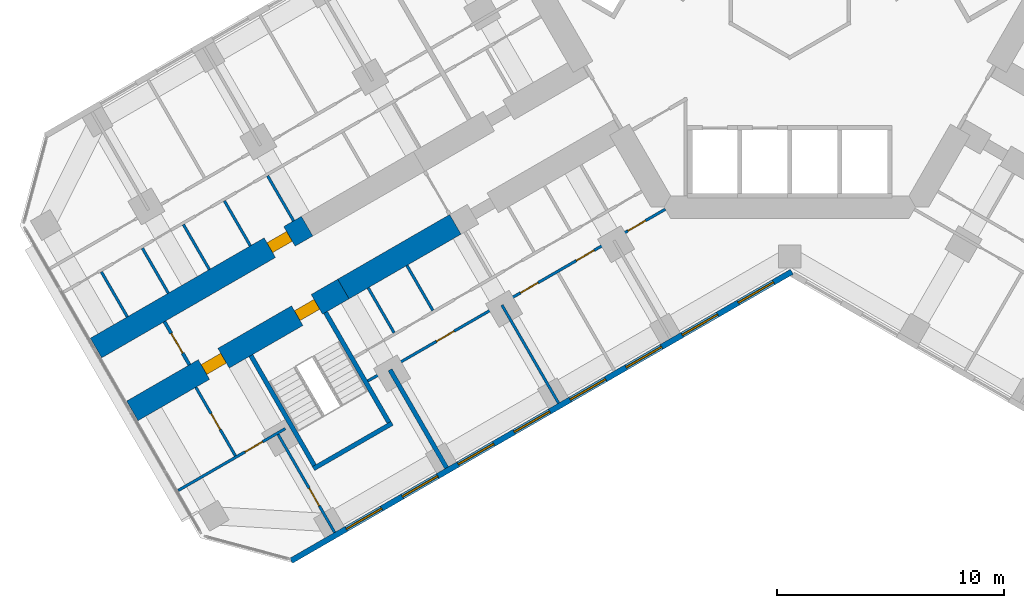
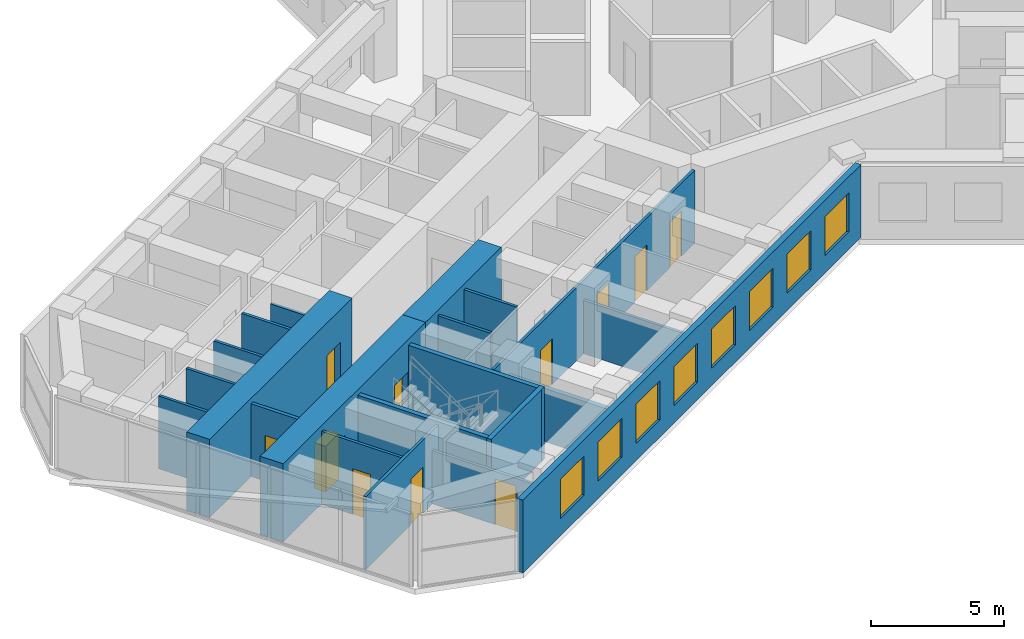
# One storey, part 10 of 21: 21 walls, 11 doors, 8 windows, 19 openings.
"""IFC4 building model written with IfcOpenShell, lengths in metres."""

import ifcopenshell
import ifcopenshell.guid

model = None  # the IFC model being written
_history = None  # IfcOwnerHistory: only IFC2X3 demands one
_inside = {}  # id of a spatial element -> (the spatial element, [elements in it])
_under = {}  # id of a project, library or spatial element -> (it, [spatial elements below it])
_declared = {}  # id of a project -> (the project, [libraries it declares])
_typed = {}  # id of a type object -> (the type object, [elements of that type])
_made_of = {}  # id of a material, layer set ... -> (it, [elements and type objects made of it])


def new_model(schema):
    """Start an empty IFC model of exactly this schema.

    Asked for "IFC4X3", IfcOpenShell would pick the latest addendum, in which some entities
    have other attributes; the version numbers below select the first issue.
    IFC2X3 requires an IfcOwnerHistory on every rooted entity: one is made here for all.
    """
    global model, _history
    if schema == "IFC4X3":
        model = ifcopenshell.file(schema_version=(4, 3, 0, 0))
    else:
        model = ifcopenshell.file(schema=schema)
    _inside.clear()
    _under.clear()
    _declared.clear()
    _typed.clear()
    _made_of.clear()
    _history = None
    if model.schema == "IFC2X3":
        org = make("IfcOrganization", Name="unknown")
        user = make(
            "IfcPersonAndOrganization",
            ThePerson=make("IfcPerson", FamilyName="unknown"),
            TheOrganization=org,
        )
        app = make(
            "IfcApplication",
            ApplicationDeveloper=org,
            Version="unknown",
            ApplicationFullName="unknown",
            ApplicationIdentifier="unknown",
        )
        _history = make(
            "IfcOwnerHistory",
            OwningUser=user,
            OwningApplication=app,
            ChangeAction="ADDED",
            CreationDate=0,
        )
    return model


def make(cls, **values):
    """One entity of the class cls with the attributes given. An attribute that is None is left unset."""
    return model.create_entity(
        cls, **{name: value for name, value in values.items() if value is not None}
    )


def rooted(cls, **values):
    """An entity with a GlobalId (a new one), such as an element, a storey or a relation."""
    return make(cls, GlobalId=ifcopenshell.guid.new(), OwnerHistory=_history, **values)


def si_unit(unit_type, name, prefix=None):
    """IfcSIUnit, for example si_unit("LENGTHUNIT", "METRE", prefix="MILLI")."""
    return make("IfcSIUnit", UnitType=unit_type, Prefix=prefix, Name=name)


def assignment(units):
    """IfcUnitAssignment: the units of a project."""
    return None if units is None else make("IfcUnitAssignment", Units=units)


def point(xyz):
    """IfcCartesianPoint."""
    return None if xyz is None else make("IfcCartesianPoint", Coordinates=xyz)


def direction(xyz):
    """IfcDirection."""
    return None if xyz is None else make("IfcDirection", DirectionRatios=xyz)


def frame(location, z_axis=None, x_axis=None):
    """IfcAxis2Placement3D, a coordinate frame: its origin and axes. An axis left out is left unset."""
    return make(
        "IfcAxis2Placement3D",
        Location=point(location),
        Axis=direction(z_axis),
        RefDirection=direction(x_axis),
    )


def frame_2d(location, x_axis=None):
    """IfcAxis2Placement2D, a coordinate frame in the plane: its origin and x axis."""
    return make(
        "IfcAxis2Placement2D", Location=point(location), RefDirection=direction(x_axis)
    )


def origin():
    """The frame at (0, 0, 0) with its axes left unset."""
    return frame((0.0, 0.0, 0.0))


def place(relative_to, where):
    """IfcLocalPlacement: puts the frame where relative to a parent placement (None: the world)."""
    return make(
        "IfcLocalPlacement", PlacementRelTo=relative_to, RelativePlacement=where
    )


def context(
    kind, dimensions, precision=None, world=None, true_north=None, identifier=None
):
    """IfcGeometricRepresentationContext, for example the 3D "Model" context."""
    return make(
        "IfcGeometricRepresentationContext",
        ContextIdentifier=identifier,
        ContextType=kind,
        CoordinateSpaceDimension=dimensions,
        Precision=precision,
        WorldCoordinateSystem=world,
        TrueNorth=true_north,
    )


def subcontext(parent, identifier, kind, view, scale=None):
    """IfcGeometricRepresentationSubContext, for example "Body" below "Model"."""
    return make(
        "IfcGeometricRepresentationSubContext",
        ContextIdentifier=identifier,
        ContextType=kind,
        ParentContext=parent,
        TargetScale=scale,
        TargetView=view,
    )


def project(units=None, contexts=None):
    """IfcProject with its units and contexts."""
    return rooted(
        "IfcProject",
        Name="project",
        RepresentationContexts=contexts,
        UnitsInContext=assignment(units),
    )


def spatial(cls, under=None, at=None, **own):
    """A site, building, storey or space (cls), placed at a placement, below another one or the project."""
    s = rooted(cls, ObjectPlacement=at, **own)
    if under is not None:
        _under.setdefault(under.id(), (under, []))[1].append(s)
    return s


def profile(cls, at=None, kind="AREA", **sizes):
    """A parametric profile (cls). Its sizes go by their IFC names, for example OverallWidth=200.0."""
    return make(cls, ProfileType=kind, Position=at, **sizes)


def rectangle(**sizes):
    """IfcRectangleProfileDef."""
    return profile("IfcRectangleProfileDef", **sizes)


def extrude(swept, where, along, depth):
    """IfcExtrudedAreaSolid: the profile swept, set in the frame where, extruded along a direction by depth."""
    return make(
        "IfcExtrudedAreaSolid",
        SweptArea=swept,
        Position=where,
        ExtrudedDirection=direction(along),
        Depth=depth,
    )


def shape(context_of_items, identifier, shape_type, items):
    """IfcShapeRepresentation: the items that make up one representation, for example the "Body"."""
    return make(
        "IfcShapeRepresentation",
        ContextOfItems=context_of_items,
        RepresentationIdentifier=identifier,
        RepresentationType=shape_type,
        Items=items,
    )


def material(Name=None, Category=None):
    """IfcMaterial."""
    return make("IfcMaterial", Name=Name, Category=Category)


def layer(
    of_material, thickness, ventilated=None, Name=None, Category=None, Priority=None
):
    """IfcMaterialLayer: one layer of a wall or slab, of a material (None: an air gap)."""
    return make(
        "IfcMaterialLayer",
        Material=of_material,
        LayerThickness=thickness,
        IsVentilated=ventilated,
        Name=Name,
        Category=Category,
        Priority=Priority,
    )


def layer_set(layers, Name=None):
    """IfcMaterialLayerSet."""
    return make("IfcMaterialLayerSet", MaterialLayers=layers, LayerSetName=Name)


def made_of(thing, what):
    """Note that an element or type object is made of a material, layer set ...; save() writes the relation."""
    if what is not None:
        _made_of.setdefault(what.id(), (what, []))[1].append(thing)
    return thing


def type_object(cls, material=None, **own):
    """A type object (cls), such as IfcWallType, which elements share."""
    return made_of(rooted(cls, **own), material)


def element(
    cls,
    number,
    at=None,
    inside=None,
    cuts=None,
    type_object=None,
    material=None,
    context=None,
    identifier="Body",
    shape_type=None,
    held_by="IfcProductDefinitionShape",
    body=None,
    shapes=None,
    **own,
):
    """One element of the class cls, such as IfcWall. Its Tag is "e" and its number.

    at: its placement. inside: the storey or other place that contains it. cuts: it is an
    opening in that element (IfcRelVoidsElement). A single representation is given by context,
    identifier, shape_type and body (its items); several are given by shapes. held_by: the class
    of the entity that holds the representations. save() writes the other relations.
    """
    e = rooted(cls, Tag="e%d" % number, ObjectPlacement=at, **own)
    if body is not None:
        shapes = [shape(context, identifier, shape_type, body)]
    if shapes is not None:
        e.Representation = make(held_by, Representations=shapes)
    if inside is not None:
        _inside.setdefault(inside.id(), (inside, []))[1].append(e)
    if cuts is not None:
        rooted(
            "IfcRelVoidsElement", RelatingBuildingElement=cuts, RelatedOpeningElement=e
        )
    if type_object is not None:
        _typed.setdefault(type_object.id(), (type_object, []))[1].append(e)
    return made_of(e, material)


def fill(opening, filler):
    """IfcRelFillsElement: the door or window that sits in an opening."""
    return rooted(
        "IfcRelFillsElement",
        RelatingOpeningElement=opening,
        RelatedBuildingElement=filler,
    )


def aggregate(whole, parts):
    """IfcRelAggregates: a whole, such as a stair, and the parts it consists of."""
    return rooted("IfcRelAggregates", RelatingObject=whole, RelatedObjects=parts)


def save(model, path):
    """Write the relations noted so far, then the file.

    IfcRelAggregates (storeys below a building ...), IfcRelContainedInSpatialStructure (elements
    in a storey), IfcRelDefinesByType, IfcRelAssociatesMaterial and IfcRelDeclares: one each for
    every whole, place, type object, material and project.
    """
    for whole, parts in _under.values():
        aggregate(whole, parts)
    for where, things in _inside.values():
        rooted(
            "IfcRelContainedInSpatialStructure",
            RelatedElements=things,
            RelatingStructure=where,
        )
    for kind, things in _typed.values():
        rooted("IfcRelDefinesByType", RelatedObjects=things, RelatingType=kind)
    for what, things in _made_of.values():
        rooted("IfcRelAssociatesMaterial", RelatedObjects=things, RelatingMaterial=what)
    for by, libraries in _declared.values():
        rooted("IfcRelDeclares", RelatingContext=by, RelatedDefinitions=libraries)
    model.write(path)


model = new_model("IFC4")

# Units and contexts
model_context = context("Model", 3, precision=1e-05, world=origin(), true_north=direction((0.0, 1.0)))
body_context = subcontext(model_context, "Body", "Model", "MODEL_VIEW")
ifc_project = project(units=[si_unit("LENGTHUNIT", "METRE"), si_unit("AREAUNIT", "SQUARE_METRE"), si_unit("VOLUMEUNIT", "CUBIC_METRE"), si_unit("PLANEANGLEUNIT", "RADIAN"), si_unit("MASSUNIT", "GRAM", prefix="KILO")], contexts=[model_context])

# Site, building, storey
site_placement = place(None, origin())
site = spatial("IfcSite", under=ifc_project, at=site_placement, CompositionType="ELEMENT")
building_placement = place(site_placement, origin())
building = spatial("IfcBuilding", under=site, at=building_placement, Name="Kosmar Iwan School Tower", CompositionType="ELEMENT")
storey_placement = place(building_placement, frame((0.0, 0.0, 53.800048828125)))
storey = spatial("IfcBuildingStorey", under=building, at=storey_placement, Name="L12", CompositionType="ELEMENT", Elevation=53.800048828125)

# Wall
ifc_material_1 = material(Name="Concrete C50/60", Category="concrete")
ifc_layer_1 = layer(ifc_material_1, 1.0)
ifc_layer_set_1 = layer_set([ifc_layer_1], Name="Corridor buttress wall 1000")
wall_type_1 = type_object("IfcWallType", Name="Corridor buttress wall 1000", PredefinedType="SHEAR", material=ifc_layer_set_1)
wall_1_placement = place(storey_placement, frame((-14.7451171875, -10.360595703125, 0.0), z_axis=(0.0, 0.0, 1.0), x_axis=(-0.866015111908, -0.50001782563, 0.0)))
element("IfcWall", 1, at=wall_1_placement, inside=storey, type_object=wall_type_1, Name="Corridor wall BL bay 2", PredefinedType="SHEAR", context=body_context, shape_type="SweptSolid", body=[
    extrude(rectangle(XDim=5.699951171875, YDim=1.0, at=frame_2d((2.85009765625, 0.0))), origin(), (0.0, 0.0, 1.0), 3.599853515625),
])

# Wall, openings, doors
wall_2_placement = place(storey_placement, frame((-19.681396484375, -13.210693359375, 0.0), z_axis=(0.0, 0.0, 1.0), x_axis=(-0.866028186671, -0.499995179869, 0.0)))
wall_2 = element("IfcWall", 2, at=wall_2_placement, inside=storey, type_object=wall_type_1, Name="Corridor wall BL bay 3", PredefinedType="SHEAR", context=body_context, shape_type="SweptSolid", body=[
    extrude(rectangle(XDim=10.7451171875, YDim=1.0, at=frame_2d((5.37255859375, 0.0))), origin(), (0.0, 0.0, 1.0), 3.599853515625),
])
opening_1_placement = place(wall_2_placement, frame((6.10009765625, 0.0, 0.0)))
opening_1 = element("IfcOpeningElement", 3, at=opening_1_placement, cuts=wall_2, Name="Opening D1", PredefinedType="OPENING", context=body_context, shape_type="SweptSolid", body=[
    extrude(rectangle(XDim=1.0, YDim=2.10009765625, at=frame_2d((0.5, 1.050048828125))), frame((0.0, 0.511962890625, 0.0), z_axis=(0.0, -1.0, 0.0), x_axis=(1.0, 0.0, 0.0)), (0.0, 0.0, 1.0), 1.02392578125),
])
opening_2_placement = place(wall_2_placement, frame((1.35009765625, 0.0, 0.0)))
opening_2 = element("IfcOpeningElement", 4, at=opening_2_placement, cuts=wall_2, Name="Opening D6", PredefinedType="OPENING", context=body_context, shape_type="SweptSolid", body=[
    extrude(rectangle(XDim=1.0, YDim=2.10009765625, at=frame_2d((0.5, 1.050048828125))), frame((0.0, 0.511962890625, 0.0), z_axis=(0.0, -1.0, 0.0), x_axis=(1.0, 0.0, 0.0)), (0.0, 0.0, 1.0), 1.02392578125),
])
ifc_material_2 = material(Name="Timber fire door in steel frame", Category="steel")
door_type_1 = type_object("IfcDoorType", Name="Flat entrance door 1000x2100", OperationType="SINGLE_SWING_LEFT", PredefinedType="DOOR", material=ifc_material_2)
door_1_placement = place(opening_1_placement, origin())
door_1 = element("IfcDoor", 5, at=door_1_placement, inside=storey, type_object=door_type_1, Name="Flat L12-BL2 entrance door", OperationType="SINGLE_SWING_RIGHT", OverallHeight=2.10009765625, OverallWidth=1.0, PredefinedType="DOOR", context=body_context, shape_type="SweptSolid", body=[
    extrude(rectangle(XDim=1.0, YDim=2.10009765625, at=frame_2d((0.5, 1.050048828125))), frame((0.0, 0.25, 0.0), z_axis=(0.0, -1.0, 0.0), x_axis=(1.0, 0.0, 0.0)), (0.0, 0.0, 1.0), 0.5),
])
fill(opening_1, door_1)
ifc_material_3 = material(Name="Steel fire door", Category="steel")
door_type_2 = type_object("IfcDoorType", Name="Stair door 1000x2100", OperationType="SINGLE_SWING_LEFT", PredefinedType="DOOR", material=ifc_material_3)
door_2_placement = place(opening_2_placement, origin())
door_2 = element("IfcDoor", 6, at=door_2_placement, inside=storey, type_object=door_type_2, Name="Stair WS2 door L12", OperationType="SINGLE_SWING_LEFT", OverallHeight=2.10009765625, OverallWidth=1.0, PredefinedType="DOOR", context=body_context, shape_type="SweptSolid", body=[
    extrude(rectangle(XDim=1.0, YDim=2.10009765625, at=frame_2d((0.5, 1.050048828125))), frame((0.0, 0.25, 0.0), z_axis=(0.0, -1.0, 0.0), x_axis=(1.0, 0.0, 0.0)), (0.0, 0.0, 1.0), 0.5),
])
fill(opening_2, door_2)

# Wall, opening, door
wall_3_placement = place(storey_placement, frame((-21.281494140625, -10.439453125, 0.0), z_axis=(0.0, 0.0, 1.0), x_axis=(-0.866032345022, -0.499987977232, 0.0)))
wall_3 = element("IfcWall", 7, at=wall_3_placement, inside=storey, type_object=wall_type_1, Name="Corridor wall BR bay 3", PredefinedType="SHEAR", context=body_context, shape_type="SweptSolid", body=[
    extrude(rectangle(XDim=10.744873046875, YDim=1.0, at=frame_2d((5.37255859375, 0.0))), origin(), (0.0, 0.0, 1.0), 3.599853515625),
])
opening_3_placement = place(wall_3_placement, frame((0.89990234375, 0.0, 0.0)))
opening_3 = element("IfcOpeningElement", 8, at=opening_3_placement, cuts=wall_3, Name="Opening D1", PredefinedType="OPENING", context=body_context, shape_type="SweptSolid", body=[
    extrude(rectangle(XDim=1.0, YDim=2.10009765625, at=frame_2d((0.5, 1.050048828125))), frame((0.0, 0.511962890625, 0.0), z_axis=(0.0, -1.0, 0.0), x_axis=(1.0, 0.0, 0.0)), (0.0, 0.0, 1.0), 1.02392578125),
])
door_3_placement = place(opening_3_placement, origin())
door_3 = element("IfcDoor", 9, at=door_3_placement, inside=storey, type_object=door_type_1, Name="Flat L12-BR2 entrance door", OperationType="SINGLE_SWING_LEFT", OverallHeight=2.10009765625, OverallWidth=1.0, PredefinedType="DOOR", context=body_context, shape_type="SweptSolid", body=[
    extrude(rectangle(XDim=1.0, YDim=2.10009765625, at=frame_2d((0.5, 1.050048828125))), frame((0.0, 0.25, 0.0), z_axis=(0.0, -1.0, 0.0), x_axis=(1.0, 0.0, 0.0)), (0.0, 0.0, 1.0), 0.5),
])
fill(opening_3, door_3)

ifc_material_4 = material(Name="Gypsum board on steel studs, fire-rated", Category="steel")
ifc_layer_2 = layer(ifc_material_4, 0.14990234375)
ifc_layer_set_2 = layer_set([ifc_layer_2], Name="Corridor end wall 150")
wall_type_2 = type_object("IfcWallType", Name="Corridor end wall 150", PredefinedType="PARTITIONING", material=ifc_layer_set_2)
wall_4_placement = place(storey_placement, frame((-27.570068359375, -14.6474609375, 0.0), z_axis=(0.0, 0.0, 1.0), x_axis=(0.50002983664, -0.866008176907, 0.0)))
wall_4 = element("IfcWall", 10, at=wall_4_placement, inside=storey, type_object=wall_type_2, Name="Partition L12-B-CE", PredefinedType="PARTITIONING", context=body_context, shape_type="SweptSolid", body=[
    extrude(rectangle(XDim=2.199951171875, YDim=0.14990234375, at=frame_2d((1.10009765625, 0.0))), origin(), (0.0, 0.0, 1.0), 3.349853515625),
])
opening_4_placement = place(wall_4_placement, frame((0.60009765625, 0.0, 0.0)))
opening_4 = element("IfcOpeningElement", 11, at=opening_4_placement, cuts=wall_4, Name="Opening D13", PredefinedType="OPENING", context=body_context, shape_type="SweptSolid", body=[
    extrude(rectangle(XDim=1.0, YDim=2.10009765625, at=frame_2d((0.5, 1.050048828125))), frame((0.0, 0.0869140625, 0.0), z_axis=(0.0, -1.0, 0.0), x_axis=(1.0, 0.0, 0.0)), (0.0, 0.0, 1.0), 0.173828125),
])
ifc_material_5 = material(Name="Timber fire door with vision panel", Category="wood")
door_type_3 = type_object("IfcDoorType", Name="Corridor end door 1000x2100", OperationType="SINGLE_SWING_LEFT", PredefinedType="DOOR", material=ifc_material_5)
door_4_placement = place(opening_4_placement, origin())
door_4 = element("IfcDoor", 12, at=door_4_placement, inside=storey, type_object=door_type_3, Name="Children's play room door L12-B", OperationType="SINGLE_SWING_RIGHT", OverallHeight=2.10009765625, OverallWidth=1.0, PredefinedType="DOOR", context=body_context, shape_type="SweptSolid", body=[
    extrude(rectangle(XDim=1.0, YDim=2.10009765625, at=frame_2d((0.5, 1.050048828125))), frame((0.0, 0.02490234375, 0.0), z_axis=(0.0, -1.0, 0.0), x_axis=(1.0, 0.0, 0.0)), (0.0, 0.0, 1.0), 0.050048828125),
])
fill(opening_4, door_4)

# Wall, openings, doors
ifc_material_6 = material(Name="Gypsum board on steel studs", Category="steel")
ifc_layer_3 = layer(ifc_material_6, 0.1201171875)
ifc_layer_set_3 = layer_set([ifc_layer_3], Name="Dwelling partition 120")
wall_type_3 = type_object("IfcWallType", Name="Dwelling partition 120", PredefinedType="PARTITIONING", material=ifc_layer_set_3)
wall_5_placement = place(storey_placement, frame((-5.48876953125, -9.693115234375, 0.0), z_axis=(0.0, 0.0, 1.0), x_axis=(-0.866028061085, -0.499995397393, 0.0)))
wall_5 = element("IfcWall", 13, at=wall_5_placement, inside=storey, type_object=wall_type_3, Name="Partition L12-BL1-W2", PredefinedType="PARTITIONING", context=body_context, shape_type="SweptSolid", body=[
    extrude(rectangle(XDim=15.150146484375, YDim=0.1201171875, at=frame_2d((7.5751953125, 0.0))), origin(), (0.0, 0.0, 1.0), 3.349853515625),
])
opening_5_placement = place(wall_5_placement, frame((1.0, 0.0, 0.0)))
opening_5 = element("IfcOpeningElement", 14, at=opening_5_placement, cuts=wall_5, Name="Opening D2", PredefinedType="OPENING", context=body_context, shape_type="SweptSolid", body=[
    extrude(rectangle(XDim=0.89990234375, YDim=2.10009765625, at=frame_2d((0.449951171875, 1.050048828125))), frame((0.0, 0.072021484375, 0.0), z_axis=(0.0, -1.0, 0.0), x_axis=(1.0, 0.0, 0.0)), (0.0, 0.0, 1.0), 0.14404296875),
])
opening_6_placement = place(wall_5_placement, frame((3.625, 0.0, 0.0)))
opening_6 = element("IfcOpeningElement", 15, at=opening_6_placement, cuts=wall_5, Name="Opening D2", PredefinedType="OPENING", context=body_context, shape_type="SweptSolid", body=[
    extrude(rectangle(XDim=0.89990234375, YDim=2.10009765625, at=frame_2d((0.449951171875, 1.050048828125))), frame((0.0, 0.072021484375, 0.0), z_axis=(0.0, -1.0, 0.0), x_axis=(1.0, 0.0, 0.0)), (0.0, 0.0, 1.0), 0.14404296875),
])
opening_7_placement = place(wall_5_placement, frame((6.47509765625, 0.0, 0.0)))
opening_7 = element("IfcOpeningElement", 16, at=opening_7_placement, cuts=wall_5, Name="Opening D2", PredefinedType="OPENING", context=body_context, shape_type="SweptSolid", body=[
    extrude(rectangle(XDim=0.89990234375, YDim=2.10009765625, at=frame_2d((0.449951171875, 1.050048828125))), frame((0.0, 0.072021484375, 0.0), z_axis=(0.0, -1.0, 0.0), x_axis=(1.0, 0.0, 0.0)), (0.0, 0.0, 1.0), 0.14404296875),
])
opening_8_placement = place(wall_5_placement, frame((10.75, 0.0, 0.0)))
opening_8 = element("IfcOpeningElement", 17, at=opening_8_placement, cuts=wall_5, Name="Opening D2", PredefinedType="OPENING", context=body_context, shape_type="SweptSolid", body=[
    extrude(rectangle(XDim=0.89990234375, YDim=2.10009765625, at=frame_2d((0.449951171875, 1.050048828125))), frame((0.0, 0.072021484375, 0.0), z_axis=(0.0, -1.0, 0.0), x_axis=(1.0, 0.0, 0.0)), (0.0, 0.0, 1.0), 0.14404296875),
])
ifc_material_7 = material(Name="Timber door in timber frame", Category="wood")
door_type_4 = type_object("IfcDoorType", Name="Internal door 900x2100", OperationType="SINGLE_SWING_LEFT", PredefinedType="DOOR", material=ifc_material_7)
door_5_placement = place(opening_5_placement, origin())
door_5 = element("IfcDoor", 18, at=door_5_placement, inside=storey, type_object=door_type_4, Name="Family room door L12-BL1-F1", OperationType="SINGLE_SWING_LEFT", OverallHeight=2.10009765625, OverallWidth=0.89990234375, PredefinedType="DOOR", context=body_context, shape_type="SweptSolid", body=[
    extrude(rectangle(XDim=0.89990234375, YDim=2.10009765625, at=frame_2d((0.449951171875, 1.050048828125))), frame((0.0, 0.02490234375, 0.0), z_axis=(0.0, -1.0, 0.0), x_axis=(1.0, 0.0, 0.0)), (0.0, 0.0, 1.0), 0.050048828125),
])
fill(opening_5, door_5)
door_6_placement = place(opening_6_placement, origin())
door_6 = element("IfcDoor", 19, at=door_6_placement, inside=storey, type_object=door_type_4, Name="Study door L12-BL1-F2", OperationType="SINGLE_SWING_RIGHT", OverallHeight=2.10009765625, OverallWidth=0.89990234375, PredefinedType="DOOR", context=body_context, shape_type="SweptSolid", body=[
    extrude(rectangle(XDim=0.89990234375, YDim=2.10009765625, at=frame_2d((0.449951171875, 1.050048828125))), frame((0.0, 0.02490234375, 0.0), z_axis=(0.0, -1.0, 0.0), x_axis=(1.0, 0.0, 0.0)), (0.0, 0.0, 1.0), 0.050048828125),
])
fill(opening_6, door_6)
door_7_placement = place(opening_7_placement, origin())
door_7 = element("IfcDoor", 20, at=door_7_placement, inside=storey, type_object=door_type_4, Name="Bedroom 1 door L12-BL1-F3", OperationType="SINGLE_SWING_LEFT", OverallHeight=2.10009765625, OverallWidth=0.89990234375, PredefinedType="DOOR", context=body_context, shape_type="SweptSolid", body=[
    extrude(rectangle(XDim=0.89990234375, YDim=2.10009765625, at=frame_2d((0.449951171875, 1.050048828125))), frame((0.0, 0.02490234375, 0.0), z_axis=(0.0, -1.0, 0.0), x_axis=(1.0, 0.0, 0.0)), (0.0, 0.0, 1.0), 0.050048828125),
])
fill(opening_7, door_7)
door_8_placement = place(opening_8_placement, origin())
door_8 = element("IfcDoor", 21, at=door_8_placement, inside=storey, type_object=door_type_4, Name="Living room and kitchen door L12-BL1-F4", OperationType="SINGLE_SWING_RIGHT", OverallHeight=2.10009765625, OverallWidth=0.89990234375, PredefinedType="DOOR", context=body_context, shape_type="SweptSolid", body=[
    extrude(rectangle(XDim=0.89990234375, YDim=2.10009765625, at=frame_2d((0.449951171875, 1.050048828125))), frame((0.0, 0.02490234375, 0.0), z_axis=(0.0, -1.0, 0.0), x_axis=(1.0, 0.0, 0.0)), (0.0, 0.0, 1.0), 0.050048828125),
])
fill(opening_8, door_8)

# Walls
wall_6_placement = place(storey_placement, frame((-12.690185546875, -13.919921875, 0.0), z_axis=(0.0, 0.0, 1.0), x_axis=(0.500011847778, -0.866018563358, 0.0)))
element("IfcWall", 22, at=wall_6_placement, inside=storey, type_object=wall_type_3, Name="Partition L12-BL1-X3", PredefinedType="PARTITIONING", context=body_context, shape_type="SweptSolid", body=[
    extrude(rectangle(XDim=4.990234375, YDim=0.1201171875, at=frame_2d((2.4951171875, 0.0))), origin(), (0.0, 0.0, 1.0), 2.449951171875),
])
wall_7_placement = place(storey_placement, frame((-16.8828125, -12.172119140625, 0.0), z_axis=(0.0, 0.0, 1.0), x_axis=(0.499968531483, -0.866043571379, 0.0)))
element("IfcWall", 23, at=wall_7_placement, inside=storey, type_object=wall_type_3, Name="Partition L12-BL1-Y5", PredefinedType="PARTITIONING", context=body_context, shape_type="SweptSolid", body=[
    extrude(rectangle(XDim=2.290283203125, YDim=0.1201171875, at=frame_2d((1.14501953125, 0.0))), origin(), (0.0, 0.0, 1.0), 3.349853515625),
])
wall_8_placement = place(storey_placement, frame((-18.59033203125, -13.157958984375, 0.0), z_axis=(0.0, 0.0, 1.0), x_axis=(0.500014693593, -0.866016920268, 0.0)))
element("IfcWall", 24, at=wall_8_placement, inside=storey, type_object=wall_type_3, Name="Partition L12-BL1-Y6", PredefinedType="PARTITIONING", context=body_context, shape_type="SweptSolid", body=[
    extrude(rectangle(XDim=2.2900390625, YDim=0.1201171875, at=frame_2d((1.14501953125, 0.0))), origin(), (0.0, 0.0, 1.0), 3.349853515625),
])

# Wall, opening, door
wall_9_placement = place(storey_placement, frame((-22.562744140625, -19.6201171875, 0.0), z_axis=(0.0, 0.0, 1.0), x_axis=(0.499996339024, -0.86602751744, 0.0)))
wall_9 = element("IfcWall", 25, at=wall_9_placement, inside=storey, type_object=wall_type_3, Name="Partition L12-BL2-TX", PredefinedType="PARTITIONING", context=body_context, shape_type="SweptSolid", body=[
    extrude(rectangle(XDim=4.98974609375, YDim=0.1201171875, at=frame_2d((2.494873046875, 0.0))), origin(), (0.0, 0.0, 1.0), 2.449951171875),
])
opening_9_placement = place(wall_9_placement, frame((2.739990234375, 0.0, 0.0)))
opening_9 = element("IfcOpeningElement", 26, at=opening_9_placement, cuts=wall_9, Name="Opening D2", PredefinedType="OPENING", context=body_context, shape_type="SweptSolid", body=[
    extrude(rectangle(XDim=0.89990234375, YDim=2.10009765625, at=frame_2d((0.449951171875, 1.050048828125))), frame((0.0, 0.072021484375, 0.0), z_axis=(0.0, -1.0, 0.0), x_axis=(1.0, 0.0, 0.0)), (0.0, 0.0, 1.0), 0.14404296875),
])
door_9_placement = place(opening_9_placement, origin())
door_9 = element("IfcDoor", 27, at=door_9_placement, inside=storey, type_object=door_type_4, Name="Bedroom 1 door L12-BL2-T1", OperationType="SINGLE_SWING_RIGHT", OverallHeight=2.10009765625, OverallWidth=0.89990234375, PredefinedType="DOOR", context=body_context, shape_type="SweptSolid", body=[
    extrude(rectangle(XDim=0.89990234375, YDim=2.10009765625, at=frame_2d((0.449951171875, 1.050048828125))), frame((0.0, 0.02490234375, 0.0), z_axis=(0.0, -1.0, 0.0), x_axis=(1.0, 0.0, 0.0)), (0.0, 0.0, 1.0), 0.050048828125),
])
fill(opening_9, door_9)

wall_10_placement = place(storey_placement, frame((-22.246337890625, -19.3681640625, 0.0), z_axis=(0.0, 0.0, 1.0), x_axis=(-0.866035508231, -0.499982498177, 0.0)))
wall_10 = element("IfcWall", 28, at=wall_10_placement, inside=storey, type_object=wall_type_3, Name="Partition L12-BL2-TW", PredefinedType="PARTITIONING", context=body_context, shape_type="SweptSolid", body=[
    extrude(rectangle(XDim=5.445068359375, YDim=0.1201171875, at=frame_2d((2.72265625, 0.0))), origin(), (0.0, 0.0, 1.0), 3.349853515625),
])
opening_10_placement = place(wall_10_placement, frame((1.14990234375, 0.0, 0.0)))
opening_10 = element("IfcOpeningElement", 29, at=opening_10_placement, cuts=wall_10, Name="Opening D2", PredefinedType="OPENING", context=body_context, shape_type="SweptSolid", body=[
    extrude(rectangle(XDim=0.89990234375, YDim=2.10009765625, at=frame_2d((0.449951171875, 1.050048828125))), frame((0.0, 0.072021484375, 0.0), z_axis=(0.0, -1.0, 0.0), x_axis=(1.0, 0.0, 0.0)), (0.0, 0.0, 1.0), 0.14404296875),
])
door_10_placement = place(opening_10_placement, origin())
door_10 = element("IfcDoor", 30, at=door_10_placement, inside=storey, type_object=door_type_4, Name="Entrance hall door L12-BL2-T3", OperationType="SINGLE_SWING_LEFT", OverallHeight=2.10009765625, OverallWidth=0.89990234375, PredefinedType="DOOR", context=body_context, shape_type="SweptSolid", body=[
    extrude(rectangle(XDim=0.89990234375, YDim=2.10009765625, at=frame_2d((0.449951171875, 1.050048828125))), frame((0.0, 0.02490234375, 0.0), z_axis=(0.0, -1.0, 0.0), x_axis=(1.0, 0.0, 0.0)), (0.0, 0.0, 1.0), 0.050048828125),
])
fill(opening_10, door_10)

wall_11_placement = place(storey_placement, frame((-26.1865234375, -17.543701171875, 0.0), z_axis=(0.0, 0.0, 1.0), x_axis=(0.50002117804, -0.866013176292, 0.0)))
wall_11 = element("IfcWall", 31, at=wall_11_placement, inside=storey, type_object=wall_type_3, Name="Partition L12-BL2-TY", PredefinedType="PARTITIONING", context=body_context, shape_type="SweptSolid", body=[
    extrude(rectangle(XDim=3.489990234375, YDim=0.1201171875, at=frame_2d((1.7451171875, 0.0))), origin(), (0.0, 0.0, 1.0), 3.349853515625),
])
opening_11_placement = place(wall_11_placement, frame((1.344970703125, 0.0, 0.0)))
opening_11 = element("IfcOpeningElement", 32, at=opening_11_placement, cuts=wall_11, Name="Opening D3", PredefinedType="OPENING", context=body_context, shape_type="SweptSolid", body=[
    extrude(rectangle(XDim=0.800048828125, YDim=2.10009765625, at=frame_2d((0.39990234375, 1.050048828125))), frame((0.0, 0.072021484375, 0.0), z_axis=(0.0, -1.0, 0.0), x_axis=(1.0, 0.0, 0.0)), (0.0, 0.0, 1.0), 0.14404296875),
])
ifc_material_8 = material(Name="Timber door in timber frame", Category="wood")
door_type_5 = type_object("IfcDoorType", Name="Sanitary room door 800x2100", OperationType="SINGLE_SWING_LEFT", PredefinedType="DOOR", material=ifc_material_8)
door_11_placement = place(opening_11_placement, origin())
door_11 = element("IfcDoor", 33, at=door_11_placement, inside=storey, type_object=door_type_5, Name="Bathroom door L12-BL2-T4", OperationType="SINGLE_SWING_RIGHT", OverallHeight=2.10009765625, OverallWidth=0.800048828125, PredefinedType="DOOR", context=body_context, shape_type="SweptSolid", body=[
    extrude(rectangle(XDim=0.800048828125, YDim=2.10009765625, at=frame_2d((0.39990234375, 1.050048828125))), frame((0.0, 0.02490234375, 0.0), z_axis=(0.0, -1.0, 0.0), x_axis=(1.0, 0.0, 0.0)), (0.0, 0.0, 1.0), 0.050048828125),
])
fill(opening_11, door_11)

# Walls
wall_12_placement = place(storey_placement, frame((-21.8779296875, -10.206298828125, 0.0), z_axis=(0.0, 0.0, 1.0), x_axis=(-0.500014693593, 0.866016920268, 0.0)))
element("IfcWall", 34, at=wall_12_placement, inside=storey, type_object=wall_type_3, Name="Partition L12-BR2-Y3", PredefinedType="PARTITIONING", context=body_context, shape_type="SweptSolid", body=[
    extrude(rectangle(XDim=2.2900390625, YDim=0.1201171875, at=frame_2d((1.14501953125, 0.0))), origin(), (0.0, 0.0, 1.0), 2.449951171875),
])
for number, where, z_axis, x_axis, name in (
    (35, (-23.783203125, -11.306396484375, 0.0), (0.0, 0.0, 1.0), (-0.500014693593, 0.866016920268, 0.0), "Partition L12-BR2-Y4"),
    (36, (-25.591064453125, -12.35009765625, 0.0), (0.0, 0.0, 1.0), (-0.500014693593, 0.866016920268, 0.0), "Partition L12-BR2-Y5"),
    (37, (-27.39892578125, -13.393798828125, 0.0), (0.0, 0.0, 1.0), (-0.500014693593, 0.866016920268, 0.0), "Partition L12-BR2-Y6"),
    (38, (-29.20654296875, -14.4375, 0.0), (0.0, 0.0, 1.0), (-0.500014693593, 0.866016920268, 0.0), "Partition L12-BR2-Y7"),
):
    element("IfcWall", number, at=place(storey_placement, frame(where, z_axis=z_axis, x_axis=x_axis)), inside=storey, type_object=wall_type_3, Name=name, PredefinedType="PARTITIONING", context=body_context, shape_type="SweptSolid", body=[
        extrude(rectangle(XDim=2.2900390625, YDim=0.1201171875, at=frame_2d((1.14501953125, 0.0))), origin(), (0.0, 0.0, 1.0), 3.349853515625),
    ])
ifc_material_9 = material(Name="Concrete C35/45", Category="concrete")
ifc_layer_4 = layer(ifc_material_9, 0.199951171875)
ifc_layer_set_4 = layer_set([ifc_layer_4], Name="Escape stair wall 200")
wall_type_4 = type_object("IfcWallType", Name="Escape stair wall 200", PredefinedType="SHEAR", material=ifc_layer_set_4)
for number, where, z_axis, x_axis, name in (
    (39, (-20.470703125, -14.24365234375, 0.0), (0.0, 0.0, 1.0), (0.499987231761, -0.866032775405, 0.0), "Stair WS2 wall"),
    (40, (-23.76171875, -16.1435546875, 0.0), (0.0, 0.0, 1.0), (0.500018801468, -0.86601454848, 0.0), "Stair WS2 wall"),
):
    element("IfcWall", number, at=place(storey_placement, frame(where, z_axis=z_axis, x_axis=x_axis)), inside=storey, type_object=wall_type_4, Name=name, PredefinedType="SHEAR", context=body_context, shape_type="SweptSolid", body=[
        extrude(rectangle(XDim=5.800048828125, YDim=0.199951171875, at=frame_2d((2.89990234375, 0.0))), origin(), (0.0, 0.0, 1.0), 3.329833984375),
    ])
wall_13_placement = place(storey_placement, frame((-17.5341796875, -19.1298828125, 0.0), z_axis=(0.0, 0.0, 1.0), x_axis=(-0.866026010844, -0.49999894854, 0.0)))
element("IfcWall", 41, at=wall_13_placement, inside=storey, type_object=wall_type_4, Name="Stair WS2 wall", PredefinedType="SHEAR", context=body_context, shape_type="SweptSolid", body=[
    extrude(rectangle(XDim=4.0, YDim=0.199951171875, at=frame_2d((2.0, 0.0))), origin(), (0.0, 0.0, 1.0), 3.329833984375),
])

# Wall, openings, windows
ifc_material_10 = material(Name="Black aluminium rainscreen on insulated framing", Category="aluminium")
ifc_layer_5 = layer(ifc_material_10, 0.25)
ifc_layer_set_5 = layer_set([ifc_layer_5], Name="External wall rainscreen 250")
wall_type_5 = type_object("IfcWallType", Name="External wall rainscreen 250", PredefinedType="SOLIDWALL", material=ifc_layer_set_5)
wall_14_placement = place(storey_placement, frame((0.088134765625, -12.44873046875, 0.0), z_axis=(0.0, 0.0, 1.0), x_axis=(-0.866026390279, -0.499998291337, 0.0)))
wall_14 = element("IfcWall", 42, at=wall_14_placement, inside=storey, type_object=wall_type_5, Name="External wall BL L12", PredefinedType="SOLIDWALL", context=body_context, shape_type="SweptSolid", body=[
    extrude(rectangle(XDim=25.4873046875, YDim=0.25, at=frame_2d((12.74365234375, 0.0))), origin(), (0.0, 0.0, 1.0), 3.349853515625),
])
opening_12_placement = place(wall_14_placement, frame((0.927001953125, 0.0, 0.800048828125)))
opening_12 = element("IfcOpeningElement", 43, at=opening_12_placement, cuts=wall_14, Name="Opening W1", PredefinedType="OPENING", context=body_context, shape_type="SweptSolid", body=[
    extrude(rectangle(XDim=1.800048828125, YDim=1.800048828125, at=frame_2d((0.89990234375, 0.89990234375))), frame((0.0, 0.136962890625, 0.0), z_axis=(0.0, -1.0, 0.0), x_axis=(1.0, 0.0, 0.0)), (0.0, 0.0, 1.0), 0.27392578125),
])
opening_13_placement = place(wall_14_placement, frame((3.777099609375, 0.0, 0.800048828125)))
opening_13 = element("IfcOpeningElement", 44, at=opening_13_placement, cuts=wall_14, Name="Opening W1", PredefinedType="OPENING", context=body_context, shape_type="SweptSolid", body=[
    extrude(rectangle(XDim=1.800048828125, YDim=1.800048828125, at=frame_2d((0.89990234375, 0.89990234375))), frame((0.0, 0.136962890625, 0.0), z_axis=(0.0, -1.0, 0.0), x_axis=(1.0, 0.0, 0.0)), (0.0, 0.0, 1.0), 0.27392578125),
])
opening_14_placement = place(wall_14_placement, frame((6.626953125, 0.0, 0.800048828125)))
opening_14 = element("IfcOpeningElement", 45, at=opening_14_placement, cuts=wall_14, Name="Opening W1", PredefinedType="OPENING", context=body_context, shape_type="SweptSolid", body=[
    extrude(rectangle(XDim=1.800048828125, YDim=1.800048828125, at=frame_2d((0.89990234375, 0.89990234375))), frame((0.0, 0.136962890625, 0.0), z_axis=(0.0, -1.0, 0.0), x_axis=(1.0, 0.0, 0.0)), (0.0, 0.0, 1.0), 0.27392578125),
])
opening_15_placement = place(wall_14_placement, frame((9.47705078125, 0.0, 0.800048828125)))
opening_15 = element("IfcOpeningElement", 46, at=opening_15_placement, cuts=wall_14, Name="Opening W1", PredefinedType="OPENING", context=body_context, shape_type="SweptSolid", body=[
    extrude(rectangle(XDim=1.800048828125, YDim=1.800048828125, at=frame_2d((0.89990234375, 0.89990234375))), frame((0.0, 0.136962890625, 0.0), z_axis=(0.0, -1.0, 0.0), x_axis=(1.0, 0.0, 0.0)), (0.0, 0.0, 1.0), 0.27392578125),
])
opening_16_placement = place(wall_14_placement, frame((12.326904296875, 0.0, 0.800048828125)))
opening_16 = element("IfcOpeningElement", 47, at=opening_16_placement, cuts=wall_14, Name="Opening W1", PredefinedType="OPENING", context=body_context, shape_type="SweptSolid", body=[
    extrude(rectangle(XDim=1.800048828125, YDim=1.800048828125, at=frame_2d((0.89990234375, 0.89990234375))), frame((0.0, 0.136962890625, 0.0), z_axis=(0.0, -1.0, 0.0), x_axis=(1.0, 0.0, 0.0)), (0.0, 0.0, 1.0), 0.27392578125),
])
opening_17_placement = place(wall_14_placement, frame((15.177001953125, 0.0, 0.800048828125)))
opening_17 = element("IfcOpeningElement", 48, at=opening_17_placement, cuts=wall_14, Name="Opening W1", PredefinedType="OPENING", context=body_context, shape_type="SweptSolid", body=[
    extrude(rectangle(XDim=1.800048828125, YDim=1.800048828125, at=frame_2d((0.89990234375, 0.89990234375))), frame((0.0, 0.136962890625, 0.0), z_axis=(0.0, -1.0, 0.0), x_axis=(1.0, 0.0, 0.0)), (0.0, 0.0, 1.0), 0.27392578125),
])
opening_18_placement = place(wall_14_placement, frame((18.027099609375, 0.0, 0.800048828125)))
opening_18 = element("IfcOpeningElement", 49, at=opening_18_placement, cuts=wall_14, Name="Opening W1", PredefinedType="OPENING", context=body_context, shape_type="SweptSolid", body=[
    extrude(rectangle(XDim=1.800048828125, YDim=1.800048828125, at=frame_2d((0.89990234375, 0.89990234375))), frame((0.0, 0.136962890625, 0.0), z_axis=(0.0, -1.0, 0.0), x_axis=(1.0, 0.0, 0.0)), (0.0, 0.0, 1.0), 0.27392578125),
])
opening_19_placement = place(wall_14_placement, frame((20.876953125, 0.0, 0.800048828125)))
opening_19 = element("IfcOpeningElement", 50, at=opening_19_placement, cuts=wall_14, Name="Opening W1", PredefinedType="OPENING", context=body_context, shape_type="SweptSolid", body=[
    extrude(rectangle(XDim=1.800048828125, YDim=1.800048828125, at=frame_2d((0.89990234375, 0.89990234375))), frame((0.0, 0.136962890625, 0.0), z_axis=(0.0, -1.0, 0.0), x_axis=(1.0, 0.0, 0.0)), (0.0, 0.0, 1.0), 0.27392578125),
])
ifc_material_11 = material(Name="Black aluminium frame with dark triple glazing", Category="aluminium")
window_type = type_object("IfcWindowType", Name="Window 1800x1800", PartitioningType="SINGLE_PANEL", PredefinedType="WINDOW", material=ifc_material_11)
window_1_placement = place(opening_12_placement, origin())
window_1 = element("IfcWindow", 51, at=window_1_placement, inside=storey, type_object=window_type, Name="Window BL L12 -1", OverallHeight=1.800048828125, OverallWidth=1.800048828125, PartitioningType="SINGLE_PANEL", PredefinedType="WINDOW", context=body_context, shape_type="SweptSolid", body=[
    extrude(rectangle(XDim=1.800048828125, YDim=1.800048828125, at=frame_2d((0.89990234375, 0.89990234375))), frame((0.0, 0.030029296875, 0.0), z_axis=(0.0, -1.0, 0.0), x_axis=(1.0, 0.0, 0.0)), (0.0, 0.0, 1.0), 0.06005859375),
])
fill(opening_12, window_1)
window_2_placement = place(opening_13_placement, origin())
window_2 = element("IfcWindow", 52, at=window_2_placement, inside=storey, type_object=window_type, Name="Window BL L12 0", OverallHeight=1.800048828125, OverallWidth=1.800048828125, PartitioningType="SINGLE_PANEL", PredefinedType="WINDOW", context=body_context, shape_type="SweptSolid", body=[
    extrude(rectangle(XDim=1.800048828125, YDim=1.800048828125, at=frame_2d((0.89990234375, 0.89990234375))), frame((0.0, 0.030029296875, 0.0), z_axis=(0.0, -1.0, 0.0), x_axis=(1.0, 0.0, 0.0)), (0.0, 0.0, 1.0), 0.06005859375),
])
fill(opening_13, window_2)
window_3_placement = place(opening_14_placement, origin())
window_3 = element("IfcWindow", 53, at=window_3_placement, inside=storey, type_object=window_type, Name="Window BL L12 1", OverallHeight=1.800048828125, OverallWidth=1.800048828125, PartitioningType="SINGLE_PANEL", PredefinedType="WINDOW", context=body_context, shape_type="SweptSolid", body=[
    extrude(rectangle(XDim=1.800048828125, YDim=1.800048828125, at=frame_2d((0.89990234375, 0.89990234375))), frame((0.0, 0.030029296875, 0.0), z_axis=(0.0, -1.0, 0.0), x_axis=(1.0, 0.0, 0.0)), (0.0, 0.0, 1.0), 0.06005859375),
])
fill(opening_14, window_3)
window_4_placement = place(opening_15_placement, origin())
window_4 = element("IfcWindow", 54, at=window_4_placement, inside=storey, type_object=window_type, Name="Window BL L12 2", OverallHeight=1.800048828125, OverallWidth=1.800048828125, PartitioningType="SINGLE_PANEL", PredefinedType="WINDOW", context=body_context, shape_type="SweptSolid", body=[
    extrude(rectangle(XDim=1.800048828125, YDim=1.800048828125, at=frame_2d((0.89990234375, 0.89990234375))), frame((0.0, 0.030029296875, 0.0), z_axis=(0.0, -1.0, 0.0), x_axis=(1.0, 0.0, 0.0)), (0.0, 0.0, 1.0), 0.06005859375),
])
fill(opening_15, window_4)
window_5_placement = place(opening_16_placement, origin())
window_5 = element("IfcWindow", 55, at=window_5_placement, inside=storey, type_object=window_type, Name="Window BL L12 3", OverallHeight=1.800048828125, OverallWidth=1.800048828125, PartitioningType="SINGLE_PANEL", PredefinedType="WINDOW", context=body_context, shape_type="SweptSolid", body=[
    extrude(rectangle(XDim=1.800048828125, YDim=1.800048828125, at=frame_2d((0.89990234375, 0.89990234375))), frame((0.0, 0.030029296875, 0.0), z_axis=(0.0, -1.0, 0.0), x_axis=(1.0, 0.0, 0.0)), (0.0, 0.0, 1.0), 0.06005859375),
])
fill(opening_16, window_5)
window_6_placement = place(opening_17_placement, origin())
window_6 = element("IfcWindow", 56, at=window_6_placement, inside=storey, type_object=window_type, Name="Window BL L12 4", OverallHeight=1.800048828125, OverallWidth=1.800048828125, PartitioningType="SINGLE_PANEL", PredefinedType="WINDOW", context=body_context, shape_type="SweptSolid", body=[
    extrude(rectangle(XDim=1.800048828125, YDim=1.800048828125, at=frame_2d((0.89990234375, 0.89990234375))), frame((0.0, 0.030029296875, 0.0), z_axis=(0.0, -1.0, 0.0), x_axis=(1.0, 0.0, 0.0)), (0.0, 0.0, 1.0), 0.06005859375),
])
fill(opening_17, window_6)
window_7_placement = place(opening_18_placement, origin())
window_7 = element("IfcWindow", 57, at=window_7_placement, inside=storey, type_object=window_type, Name="Window BL L12 5", OverallHeight=1.800048828125, OverallWidth=1.800048828125, PartitioningType="SINGLE_PANEL", PredefinedType="WINDOW", context=body_context, shape_type="SweptSolid", body=[
    extrude(rectangle(XDim=1.800048828125, YDim=1.800048828125, at=frame_2d((0.89990234375, 0.89990234375))), frame((0.0, 0.030029296875, 0.0), z_axis=(0.0, -1.0, 0.0), x_axis=(1.0, 0.0, 0.0)), (0.0, 0.0, 1.0), 0.06005859375),
])
fill(opening_18, window_7)
window_8_placement = place(opening_19_placement, origin())
window_8 = element("IfcWindow", 58, at=window_8_placement, inside=storey, type_object=window_type, Name="Window BL L12 6", OverallHeight=1.800048828125, OverallWidth=1.800048828125, PartitioningType="SINGLE_PANEL", PredefinedType="WINDOW", context=body_context, shape_type="SweptSolid", body=[
    extrude(rectangle(XDim=1.800048828125, YDim=1.800048828125, at=frame_2d((0.89990234375, 0.89990234375))), frame((0.0, 0.030029296875, 0.0), z_axis=(0.0, -1.0, 0.0), x_axis=(1.0, 0.0, 0.0)), (0.0, 0.0, 1.0), 0.06005859375),
])
fill(opening_19, window_8)

# Wall
ifc_material_12 = material(Name="Concrete block masonry", Category="masonry")
ifc_layer_6 = layer(ifc_material_12, 0.199951171875)
ifc_layer_set_6 = layer_set([ifc_layer_6], Name="Party wall 200")
wall_type_6 = type_object("IfcWallType", Name="Party wall 200", PredefinedType="PARTITIONING", material=ifc_layer_set_6)
wall_15_placement = place(storey_placement, frame((-17.62646484375, -16.77001953125, 0.0), z_axis=(0.0, 0.0, 1.0), x_axis=(0.499975153383, -0.86603974851, 0.0)))
element("IfcWall", 59, at=wall_15_placement, inside=storey, type_object=wall_type_6, Name="Partition L12-BL2-TB", PredefinedType="PARTITIONING", context=body_context, shape_type="SweptSolid", body=[
    extrude(rectangle(XDim=4.989990234375, YDim=0.199951171875, at=frame_2d((2.4951171875, 0.0))), origin(), (0.0, 0.0, 1.0), 2.449951171875),
])

save(model, "model.ifc")
